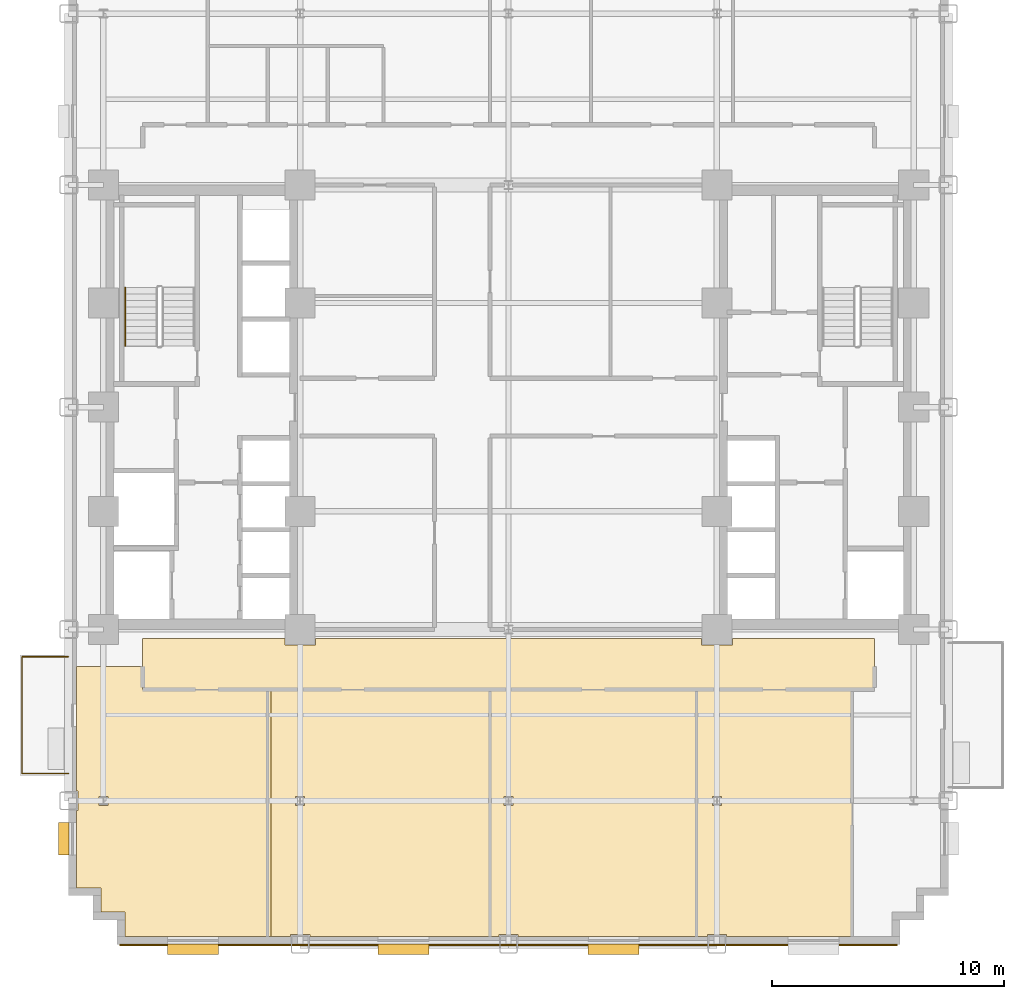
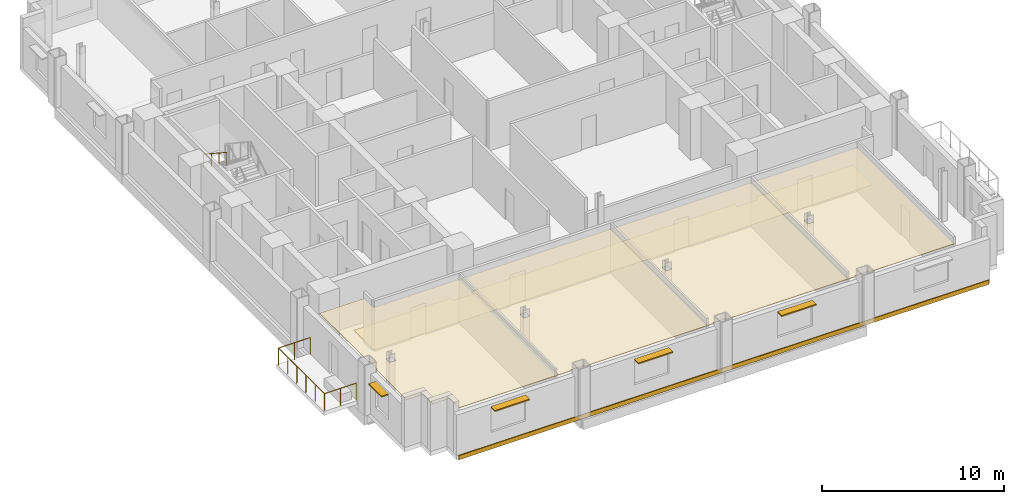
# One storey, part 9 of 12: 6 coverings, 4 shading devices, 2 railings.
"""IFC4 building model written with IfcOpenShell, lengths in metres."""

import ifcopenshell
import ifcopenshell.guid

model = None  # the IFC model being written
_history = None  # IfcOwnerHistory: only IFC2X3 demands one
_inside = {}  # id of a spatial element -> (the spatial element, [elements in it])
_under = {}  # id of a project, library or spatial element -> (it, [spatial elements below it])
_declared = {}  # id of a project -> (the project, [libraries it declares])
_typed = {}  # id of a type object -> (the type object, [elements of that type])
_made_of = {}  # id of a material, layer set ... -> (it, [elements and type objects made of it])


def new_model(schema):
    """Start an empty IFC model of exactly this schema.

    Asked for "IFC4X3", IfcOpenShell would pick the latest addendum, in which some entities
    have other attributes; the version numbers below select the first issue.
    IFC2X3 requires an IfcOwnerHistory on every rooted entity: one is made here for all.
    """
    global model, _history
    if schema == "IFC4X3":
        model = ifcopenshell.file(schema_version=(4, 3, 0, 0))
    else:
        model = ifcopenshell.file(schema=schema)
    _inside.clear()
    _under.clear()
    _declared.clear()
    _typed.clear()
    _made_of.clear()
    _history = None
    if model.schema == "IFC2X3":
        org = make("IfcOrganization", Name="unknown")
        user = make(
            "IfcPersonAndOrganization",
            ThePerson=make("IfcPerson", FamilyName="unknown"),
            TheOrganization=org,
        )
        app = make(
            "IfcApplication",
            ApplicationDeveloper=org,
            Version="unknown",
            ApplicationFullName="unknown",
            ApplicationIdentifier="unknown",
        )
        _history = make(
            "IfcOwnerHistory",
            OwningUser=user,
            OwningApplication=app,
            ChangeAction="ADDED",
            CreationDate=0,
        )
    return model


def make(cls, **values):
    """One entity of the class cls with the attributes given. An attribute that is None is left unset."""
    return model.create_entity(
        cls, **{name: value for name, value in values.items() if value is not None}
    )


def rooted(cls, **values):
    """An entity with a GlobalId (a new one), such as an element, a storey or a relation."""
    return make(cls, GlobalId=ifcopenshell.guid.new(), OwnerHistory=_history, **values)


def si_unit(unit_type, name, prefix=None):
    """IfcSIUnit, for example si_unit("LENGTHUNIT", "METRE", prefix="MILLI")."""
    return make("IfcSIUnit", UnitType=unit_type, Prefix=prefix, Name=name)


def assignment(units):
    """IfcUnitAssignment: the units of a project."""
    return None if units is None else make("IfcUnitAssignment", Units=units)


def point(xyz):
    """IfcCartesianPoint."""
    return None if xyz is None else make("IfcCartesianPoint", Coordinates=xyz)


def direction(xyz):
    """IfcDirection."""
    return None if xyz is None else make("IfcDirection", DirectionRatios=xyz)


def frame(location, z_axis=None, x_axis=None):
    """IfcAxis2Placement3D, a coordinate frame: its origin and axes. An axis left out is left unset."""
    return make(
        "IfcAxis2Placement3D",
        Location=point(location),
        Axis=direction(z_axis),
        RefDirection=direction(x_axis),
    )


def frame_2d(location, x_axis=None):
    """IfcAxis2Placement2D, a coordinate frame in the plane: its origin and x axis."""
    return make(
        "IfcAxis2Placement2D", Location=point(location), RefDirection=direction(x_axis)
    )


def origin():
    """The frame at (0, 0, 0) with its axes left unset."""
    return frame((0.0, 0.0, 0.0))


def origin_2d():
    """The frame at (0, 0) in the plane with its x axis left unset."""
    return frame_2d((0.0, 0.0))


def place(relative_to, where):
    """IfcLocalPlacement: puts the frame where relative to a parent placement (None: the world)."""
    return make(
        "IfcLocalPlacement", PlacementRelTo=relative_to, RelativePlacement=where
    )


def context(
    kind, dimensions, precision=None, world=None, true_north=None, identifier=None
):
    """IfcGeometricRepresentationContext, for example the 3D "Model" context."""
    return make(
        "IfcGeometricRepresentationContext",
        ContextIdentifier=identifier,
        ContextType=kind,
        CoordinateSpaceDimension=dimensions,
        Precision=precision,
        WorldCoordinateSystem=world,
        TrueNorth=true_north,
    )


def subcontext(parent, identifier, kind, view, scale=None):
    """IfcGeometricRepresentationSubContext, for example "Body" below "Model"."""
    return make(
        "IfcGeometricRepresentationSubContext",
        ContextIdentifier=identifier,
        ContextType=kind,
        ParentContext=parent,
        TargetScale=scale,
        TargetView=view,
    )


def project(units=None, contexts=None):
    """IfcProject with its units and contexts."""
    return rooted(
        "IfcProject",
        Name="project",
        RepresentationContexts=contexts,
        UnitsInContext=assignment(units),
    )


def spatial(cls, under=None, at=None, **own):
    """A site, building, storey or space (cls), placed at a placement, below another one or the project."""
    s = rooted(cls, ObjectPlacement=at, **own)
    if under is not None:
        _under.setdefault(under.id(), (under, []))[1].append(s)
    return s


def polyline(points):
    """IfcPolyline through the points."""
    return make("IfcPolyline", Points=[point(p) for p in points])


def profile(cls, at=None, kind="AREA", **sizes):
    """A parametric profile (cls). Its sizes go by their IFC names, for example OverallWidth=200.0."""
    return make(cls, ProfileType=kind, Position=at, **sizes)


def rectangle(**sizes):
    """IfcRectangleProfileDef."""
    return profile("IfcRectangleProfileDef", **sizes)


def circle(**sizes):
    """IfcCircleProfileDef."""
    return profile("IfcCircleProfileDef", **sizes)


def outline(outer, holes=None, kind="AREA"):
    """IfcArbitraryClosedProfileDef: a profile drawn as a closed curve; with holes, ...WithVoids."""
    if holes is None:
        return make("IfcArbitraryClosedProfileDef", ProfileType=kind, OuterCurve=outer)
    return make(
        "IfcArbitraryProfileDefWithVoids",
        ProfileType=kind,
        OuterCurve=outer,
        InnerCurves=holes,
    )


def extrude(swept, where, along, depth):
    """IfcExtrudedAreaSolid: the profile swept, set in the frame where, extruded along a direction by depth."""
    return make(
        "IfcExtrudedAreaSolid",
        SweptArea=swept,
        Position=where,
        ExtrudedDirection=direction(along),
        Depth=depth,
    )


def shape(context_of_items, identifier, shape_type, items):
    """IfcShapeRepresentation: the items that make up one representation, for example the "Body"."""
    return make(
        "IfcShapeRepresentation",
        ContextOfItems=context_of_items,
        RepresentationIdentifier=identifier,
        RepresentationType=shape_type,
        Items=items,
    )


def source(mapping_origin, context_of_items, identifier, shape_type, items):
    """IfcRepresentationMap: a shape defined once, which mapped items show again and again."""
    return make(
        "IfcRepresentationMap",
        MappingOrigin=mapping_origin,
        MappedRepresentation=shape(context_of_items, identifier, shape_type, items),
    )


def transform(
    local_origin,
    x_axis=None,
    y_axis=None,
    z_axis=None,
    scale=None,
    scale2=None,
    scale3=None,
    uniform=True,
):
    """IfcCartesianTransformationOperator3D, or its non-uniform kind. x_axis, y_axis, z_axis: its Axis1, 2, 3."""
    if uniform:
        return make(
            "IfcCartesianTransformationOperator3D",
            Axis1=direction(x_axis),
            Axis2=direction(y_axis),
            LocalOrigin=point(local_origin),
            Scale=scale,
            Axis3=direction(z_axis),
        )
    return make(
        "IfcCartesianTransformationOperator3DnonUniform",
        Axis1=direction(x_axis),
        Axis2=direction(y_axis),
        LocalOrigin=point(local_origin),
        Scale=scale,
        Axis3=direction(z_axis),
        Scale2=scale2,
        Scale3=scale3,
    )


def mapped(mapping_source, mapping_target):
    """IfcMappedItem: shows the shape of a source again, moved by a transform."""
    return make(
        "IfcMappedItem", MappingSource=mapping_source, MappingTarget=mapping_target
    )


def material(Name=None, Category=None):
    """IfcMaterial."""
    return make("IfcMaterial", Name=Name, Category=Category)


def layer(
    of_material, thickness, ventilated=None, Name=None, Category=None, Priority=None
):
    """IfcMaterialLayer: one layer of a wall or slab, of a material (None: an air gap)."""
    return make(
        "IfcMaterialLayer",
        Material=of_material,
        LayerThickness=thickness,
        IsVentilated=ventilated,
        Name=Name,
        Category=Category,
        Priority=Priority,
    )


def layer_set(layers, Name=None):
    """IfcMaterialLayerSet."""
    return make("IfcMaterialLayerSet", MaterialLayers=layers, LayerSetName=Name)


def made_of(thing, what):
    """Note that an element or type object is made of a material, layer set ...; save() writes the relation."""
    if what is not None:
        _made_of.setdefault(what.id(), (what, []))[1].append(thing)
    return thing


def type_object(cls, material=None, **own):
    """A type object (cls), such as IfcWallType, which elements share."""
    return made_of(rooted(cls, **own), material)


def type_shapes(of_type, sources):
    """Give a type object the sources (RepresentationMaps) that its elements show as mapped items."""
    of_type.RepresentationMaps = sources


def element(
    cls,
    number,
    at=None,
    inside=None,
    cuts=None,
    type_object=None,
    material=None,
    context=None,
    identifier="Body",
    shape_type=None,
    held_by="IfcProductDefinitionShape",
    body=None,
    shapes=None,
    **own,
):
    """One element of the class cls, such as IfcWall. Its Tag is "e" and its number.

    at: its placement. inside: the storey or other place that contains it. cuts: it is an
    opening in that element (IfcRelVoidsElement). A single representation is given by context,
    identifier, shape_type and body (its items); several are given by shapes. held_by: the class
    of the entity that holds the representations. save() writes the other relations.
    """
    e = rooted(cls, Tag="e%d" % number, ObjectPlacement=at, **own)
    if body is not None:
        shapes = [shape(context, identifier, shape_type, body)]
    if shapes is not None:
        e.Representation = make(held_by, Representations=shapes)
    if inside is not None:
        _inside.setdefault(inside.id(), (inside, []))[1].append(e)
    if cuts is not None:
        rooted(
            "IfcRelVoidsElement", RelatingBuildingElement=cuts, RelatedOpeningElement=e
        )
    if type_object is not None:
        _typed.setdefault(type_object.id(), (type_object, []))[1].append(e)
    return made_of(e, material)


def aggregate(whole, parts):
    """IfcRelAggregates: a whole, such as a stair, and the parts it consists of."""
    return rooted("IfcRelAggregates", RelatingObject=whole, RelatedObjects=parts)


def save(model, path):
    """Write the relations noted so far, then the file.

    IfcRelAggregates (storeys below a building ...), IfcRelContainedInSpatialStructure (elements
    in a storey), IfcRelDefinesByType, IfcRelAssociatesMaterial and IfcRelDeclares: one each for
    every whole, place, type object, material and project.
    """
    for whole, parts in _under.values():
        aggregate(whole, parts)
    for where, things in _inside.values():
        rooted(
            "IfcRelContainedInSpatialStructure",
            RelatedElements=things,
            RelatingStructure=where,
        )
    for kind, things in _typed.values():
        rooted("IfcRelDefinesByType", RelatedObjects=things, RelatingType=kind)
    for what, things in _made_of.values():
        rooted("IfcRelAssociatesMaterial", RelatedObjects=things, RelatingMaterial=what)
    for by, libraries in _declared.values():
        rooted("IfcRelDeclares", RelatingContext=by, RelatedDefinitions=libraries)
    model.write(path)


model = new_model("IFC4")

# Units and contexts
model_context = context("Model", 3, precision=1e-05, world=origin(), true_north=direction((0.0, 1.0)))
body_context = subcontext(model_context, "Body", "Model", "MODEL_VIEW")
ifc_project = project(units=[si_unit("LENGTHUNIT", "METRE"), si_unit("AREAUNIT", "SQUARE_METRE"), si_unit("VOLUMEUNIT", "CUBIC_METRE"), si_unit("PLANEANGLEUNIT", "RADIAN"), si_unit("MASSUNIT", "GRAM", prefix="KILO")], contexts=[model_context])

# Site, building, storey
site_placement = place(None, origin())
site = spatial("IfcSite", under=ifc_project, at=site_placement, CompositionType="ELEMENT")
building_placement = place(site_placement, origin())
building = spatial("IfcBuilding", under=site, at=building_placement, Name="Nuvemarco Arch Tower", CompositionType="ELEMENT")
storey_placement = place(building_placement, frame((0.0, 0.0, 45.85009765625)))
storey = spatial("IfcBuildingStorey", under=building, at=storey_placement, Name="L11", CompositionType="ELEMENT", Elevation=45.85009765625)

# Coverings
ifc_material_1 = material(Name="Mineral acoustic ceiling tile")
ifc_layer_1 = layer(ifc_material_1, 0.0400390625, Name="COV-ACOUSTIC-CLG")
ifc_layer_set_1 = layer_set([ifc_layer_1], Name="Mineral acoustic ceiling tile")
covering_type_1 = type_object("IfcCoveringType", Name="COV-ACOUSTIC-CLG", PredefinedType="CEILING", material=ifc_layer_set_1)
covering_1_placement = place(storey_placement, frame((0.0, 0.0, 2.849853515625)))
element("IfcCovering", 1, at=covering_1_placement, inside=storey, type_object=covering_type_1, Name="L11 suspended acoustic ceiling 2", PredefinedType="CEILING", context=body_context, shape_type="SweptSolid", body=[
    extrude(outline(polyline([(-0.800048828125, -22.860107421875), (-8.5849609375, -22.860107421875), (-8.5849609375, -22.784912109375), (-9.4150390625, -22.784912109375), (-9.4150390625, -22.860107421875), (-10.260009765625, -22.860107421875), (-10.260009765625, -12.199951171875), (-3.199951171875, -12.199951171875), (-0.800048828125, -12.199951171875), (-0.800048828125, -22.860107421875)]), holes=[polyline([(-8.804931640625, -17.195068359375), (-8.804931640625, -16.804931640625), (-9.195068359375, -16.804931640625), (-9.195068359375, -17.195068359375), (-8.804931640625, -17.195068359375)])]), origin(), (0.0, 0.0, 1.0), 0.0400390625),
])
covering_2_placement = place(storey_placement, frame((0.0, 0.0, 2.849853515625)))
element("IfcCovering", 2, at=covering_2_placement, inside=storey, type_object=covering_type_1, Name="L11 suspended acoustic ceiling 4", PredefinedType="CEILING", context=body_context, shape_type="SweptSolid", body=[
    extrude(outline(polyline([(0.4150390625, -22.860107421875), (0.4150390625, -22.784912109375), (-0.4150390625, -22.784912109375), (-0.4150390625, -22.860107421875), (-0.800048828125, -22.860107421875), (-0.800048828125, -12.199951171875), (8.110107421875, -12.199951171875), (8.110107421875, -22.860107421875), (0.4150390625, -22.860107421875)]), holes=[polyline([(0.195068359375, -17.195068359375), (0.195068359375, -16.804931640625), (-0.195068359375, -16.804931640625), (-0.195068359375, -17.195068359375), (0.195068359375, -17.195068359375)])]), origin(), (0.0, 0.0, 1.0), 0.0400390625),
])
covering_3_placement = place(storey_placement, frame((0.0, 0.0, 2.849853515625)))
element("IfcCovering", 3, at=covering_3_placement, inside=storey, type_object=covering_type_1, Name="L11 suspended acoustic ceiling 5", PredefinedType="CEILING", context=body_context, shape_type="SweptSolid", body=[
    extrude(outline(polyline([(-18.659912109375, -20.760009765625), (-18.659912109375, -17.4150390625), (-18.5849609375, -17.4150390625), (-18.5849609375, -16.5849609375), (-18.659912109375, -16.5849609375), (-18.659912109375, -11.199951171875), (-15.800048828125, -11.199951171875), (-15.800048828125, -12.199951171875), (-10.260009765625, -12.199951171875), (-10.260009765625, -22.860107421875), (-16.56005859375, -22.860107421875), (-16.56005859375, -21.81005859375), (-17.610107421875, -21.81005859375), (-17.610107421875, -20.760009765625), (-18.659912109375, -20.760009765625)]), holes=[polyline([(-17.304931640625, -16.804931640625), (-17.695068359375, -16.804931640625), (-17.695068359375, -17.195068359375), (-17.304931640625, -17.195068359375), (-17.304931640625, -16.804931640625)])]), origin(), (0.0, 0.0, 1.0), 0.0400390625),
])
covering_4_placement = place(storey_placement, frame((0.0, 0.0, 2.849853515625)))
element("IfcCovering", 4, at=covering_4_placement, inside=storey, type_object=covering_type_1, Name="L11 suspended acoustic ceiling 6", PredefinedType="CEILING", context=body_context, shape_type="SweptSolid", body=[
    extrude(outline(polyline([(9.4150390625, -22.860107421875), (9.4150390625, -22.784912109375), (8.5849609375, -22.784912109375), (8.5849609375, -22.860107421875), (8.110107421875, -22.860107421875), (8.110107421875, -12.199951171875), (14.840087890625, -12.199951171875), (14.840087890625, -22.860107421875), (9.4150390625, -22.860107421875)]), holes=[polyline([(9.195068359375, -17.195068359375), (9.195068359375, -16.804931640625), (8.804931640625, -16.804931640625), (8.804931640625, -17.195068359375), (9.195068359375, -17.195068359375)])]), origin(), (0.0, 0.0, 1.0), 0.0400390625),
])
ifc_material_2 = material(Name="Polished granite terrazzostone flooring", Category="masonry")
ifc_layer_2 = layer(ifc_material_2, 0.02001953125, Name="COV-LOBBY-FLR")
ifc_layer_set_2 = layer_set([ifc_layer_2], Name="Polished granite terrazzostone flooring")
covering_type_2 = type_object("IfcCoveringType", Name="COV-LOBBY-FLR", PredefinedType="FLOORING", material=ifc_layer_set_2)
covering_5_placement = place(storey_placement, origin())
element("IfcCovering", 5, at=covering_5_placement, inside=storey, type_object=covering_type_2, Name="L11 polished terrazzo lobby flooring", PredefinedType="FLOORING", context=body_context, shape_type="SweptSolid", body=[
    extrude(outline(polyline([(-9.6650390625, -10.264892578125), (-8.3349609375, -10.264892578125), (-8.3349609375, -10.0), (8.3349609375, -10.0), (8.3349609375, -10.264892578125), (9.6650390625, -10.264892578125), (9.6650390625, -10.0), (15.800048828125, -10.0), (15.800048828125, -12.199951171875), (-0.800048828125, -12.199951171875), (-3.199951171875, -12.199951171875), (-15.800048828125, -12.199951171875), (-15.800048828125, -10.0), (-9.6650390625, -10.0), (-9.6650390625, -10.264892578125)])), origin(), (0.0, 0.0, 1.0), 0.02001953125),
])

# Railings
ifc_material_3 = material(Name="Brushed stainless steel handrail", Category="steel")
railing_type_1 = type_object("IfcRailingType", Name="RL-HANDRAIL-900", PredefinedType="HANDRAIL", material=ifc_material_3)
railing_1_placement = place(storey_placement, frame((-16.550048828125, 5.169921875, 2.00732421875)))
element("IfcRailing", 6, at=railing_1_placement, inside=storey, type_object=railing_type_1, Name="L11 ST-1 stair handrail 2", PredefinedType="HANDRAIL", context=body_context, shape_type="SweptSolid", body=[
    extrude(circle(Radius=0.02392578125, at=origin_2d()), frame((0.0, 0.0, 0.8759765625), z_axis=(0.0, -0.837749427056, 0.546054848405), x_axis=(1.0, 0.0, 0.0)), (0.0, 0.0, 1.0), 3.008056640625),
    extrude(circle(Radius=0.02099609375, at=origin_2d()), origin(), (0.0, 0.0, 1.0), 0.851806640625),
    extrude(circle(Radius=0.02099609375, at=origin_2d()), frame((0.0, -0.840087890625, 0.547607421875)), (0.0, 0.0, 1.0), 0.851806640625),
    extrude(circle(Radius=0.02099609375, at=origin_2d()), frame((0.0, -1.679931640625, 1.094970703125)), (0.0, 0.0, 1.0), 0.851806640625),
    extrude(circle(Radius=0.02099609375, at=origin_2d()), frame((0.0, -2.52001953125, 1.642578125)), (0.0, 0.0, 1.0), 0.851806640625),
])
ifc_material_4 = material(Name="Dark anodised balustrade steel S355", Category="steel")
railing_type_2 = type_object("IfcRailingType", Name="RL-TERR-GUARD", PredefinedType="BALUSTRADE", material=ifc_material_4)
railing_2_placement = place(storey_placement, frame((-19.0, -15.820068359375, 0.0)))
element("IfcRailing", 7, at=railing_2_placement, inside=storey, type_object=railing_type_2, Name="L11 tree balcony perimeter balustrade guard", PredefinedType="BALUSTRADE", context=body_context, shape_type="SweptSolid", body=[
    extrude(circle(Radius=0.02392578125, at=origin_2d()), frame((0.0, 0.0, 1.1259765625), z_axis=(-1.0, 0.0, 0.0), x_axis=(0.0, -1.0, 0.0)), (0.0, 0.0, 1.0), 2.02001953125),
    extrude(circle(Radius=0.02392578125, at=origin_2d()), frame((-2.02001953125, 0.0, 1.1259765625), z_axis=(0.0, 1.0, 0.0), x_axis=(-1.0, 0.0, 0.0)), (0.0, 0.0, 1.0), 5.0400390625),
    extrude(circle(Radius=0.02392578125, at=origin_2d()), frame((-2.02001953125, 5.0400390625, 1.1259765625), z_axis=(1.0, 0.0, 0.0), x_axis=(0.0, 1.0, 0.0)), (0.0, 0.0, 1.0), 2.02001953125),
    extrude(circle(Radius=0.02099609375, at=origin_2d()), origin(), (0.0, 0.0, 1.0), 1.101806640625),
    extrude(circle(Radius=0.02099609375, at=origin_2d()), frame((-1.010009765625, 0.0, 0.0)), (0.0, 0.0, 1.0), 1.101806640625),
    extrude(circle(Radius=0.02099609375, at=origin_2d()), frame((-2.02001953125, 0.0, 0.0)), (0.0, 0.0, 1.0), 1.101806640625),
    extrude(circle(Radius=0.02099609375, at=origin_2d()), frame((-2.02001953125, 1.008056640625, 0.0)), (0.0, 0.0, 1.0), 1.101806640625),
    extrude(circle(Radius=0.02099609375, at=origin_2d()), frame((-2.02001953125, 2.01611328125, 0.0)), (0.0, 0.0, 1.0), 1.101806640625),
    extrude(circle(Radius=0.02099609375, at=origin_2d()), frame((-2.02001953125, 3.02392578125, 0.0)), (0.0, 0.0, 1.0), 1.101806640625),
    extrude(circle(Radius=0.02099609375, at=origin_2d()), frame((-2.02001953125, 4.031982421875, 0.0)), (0.0, 0.0, 1.0), 1.101806640625),
    extrude(circle(Radius=0.02099609375, at=origin_2d()), frame((-2.02001953125, 5.0400390625, 0.0)), (0.0, 0.0, 1.0), 1.101806640625),
    extrude(circle(Radius=0.02099609375, at=origin_2d()), frame((-1.010009765625, 5.0400390625, 0.0)), (0.0, 0.0, 1.0), 1.101806640625),
    extrude(circle(Radius=0.02099609375, at=origin_2d()), frame((0.0, 5.0400390625, 0.0)), (0.0, 0.0, 1.0), 1.101806640625),
])

# Shading devices
ifc_material_5 = material(Name="Anodised aluminium 6063-T6", Category="aluminium")
shading_device_type_1 = type_object("IfcShadingDeviceType", Name="SHD-BRISE-SOLEIL", PredefinedType="USERDEFINED", material=ifc_material_5)
shared_shape_1 = source(origin(), body_context, "Body", "SweptSolid", [
    extrude(rectangle(XDim=2.199951171875, YDim=0.449951171875, at=origin_2d()), origin(), (0.0, 0.0, 1.0), 0.080078125),
])
type_shapes(shading_device_type_1, [shared_shape_1])
for number, where, z_axis, x_axis, name in (
    (8, (-13.628662109375, -23.4150390625, 2.454833984375), (0.0, 0.0, 1.0), (1.0, 0.0, 0.0), "L11 horizontal brise-soleil sunshade"),
    (9, (-4.54296875, -23.4150390625, 2.454833984375), (0.0, 0.0, 1.0), (1.0, 0.0, 0.0), "L11 horizontal brise-soleil sunshade"),
    (10, (4.54296875, -23.4150390625, 2.454833984375), (0.0, 0.0, 1.0), (1.0, 0.0, 0.0), "L11 horizontal brise-soleil sunshade"),
):
    element("IfcShadingDevice", number, at=place(storey_placement, frame(where, z_axis=z_axis, x_axis=x_axis)), inside=storey, type_object=shading_device_type_1, Name=name, ObjectType="SUNSHADE", PredefinedType="USERDEFINED", context=body_context, shape_type="MappedRepresentation", body=[
        mapped(shared_shape_1, transform((0.0, 0.0, 0.0), scale=1.0)),
    ])
shading_device_type_2 = type_object("IfcShadingDeviceType", Name="SHD-BRISE-NARROW", PredefinedType="USERDEFINED", material=ifc_material_5)
shared_shape_2 = source(origin(), body_context, "Body", "SweptSolid", [
    extrude(rectangle(XDim=1.39990234375, YDim=0.449951171875, at=origin_2d()), origin(), (0.0, 0.0, 1.0), 0.080078125),
])
type_shapes(shading_device_type_2, [shared_shape_2])
shading_device_placement = place(storey_placement, frame((-19.215087890625, -18.6435546875, 2.454833984375), z_axis=(0.0, 0.0, 1.0), x_axis=(0.0, 1.0, 0.0)))
element("IfcShadingDevice", 11, at=shading_device_placement, inside=storey, type_object=shading_device_type_2, Name="L11 horizontal brise-soleil sunshade", ObjectType="SUNSHADE", PredefinedType="USERDEFINED", context=body_context, shape_type="MappedRepresentation", body=[
    mapped(shared_shape_2, transform((0.0, 0.0, 0.0), scale=1.0)),
])

# Covering
ifc_material_6 = material(Name="Precast concrete C45/55", Category="concrete")
ifc_layer_3 = layer(ifc_material_6, 0.06005859375, Name="COV-SPANDREL-CLAD")
ifc_layer_set_3 = layer_set([ifc_layer_3], Name="Precast concrete C45/55")
covering_type_3 = type_object("IfcCoveringType", Name="COV-SPANDREL-CLAD", PredefinedType="CLADDING", material=ifc_layer_set_3)
shared_shape_3 = source(origin(), body_context, "Body", "SweptSolid", [
    extrude(rectangle(XDim=33.60009765625, YDim=0.06005859375, at=origin_2d()), origin(), (0.0, 0.0, 1.0), 0.280029296875),
])
type_shapes(covering_type_3, [shared_shape_3])
covering_6_placement = place(storey_placement, frame((0.0, -23.22900390625, -0.2802734375), z_axis=(0.0, 0.0, 1.0), x_axis=(1.0, 0.0, 0.0)))
element("IfcCovering", 12, at=covering_6_placement, inside=storey, type_object=covering_type_3, Name="L11 precast spandrel edge cladding south", PredefinedType="CLADDING", context=body_context, shape_type="MappedRepresentation", body=[
    mapped(shared_shape_3, transform((0.0, 0.0, 0.0), scale=1.0)),
])

save(model, "model.ifc")
